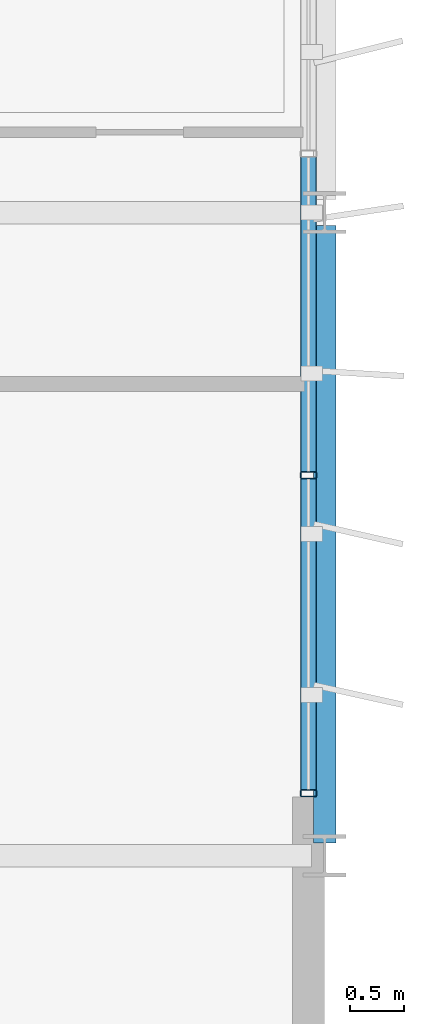
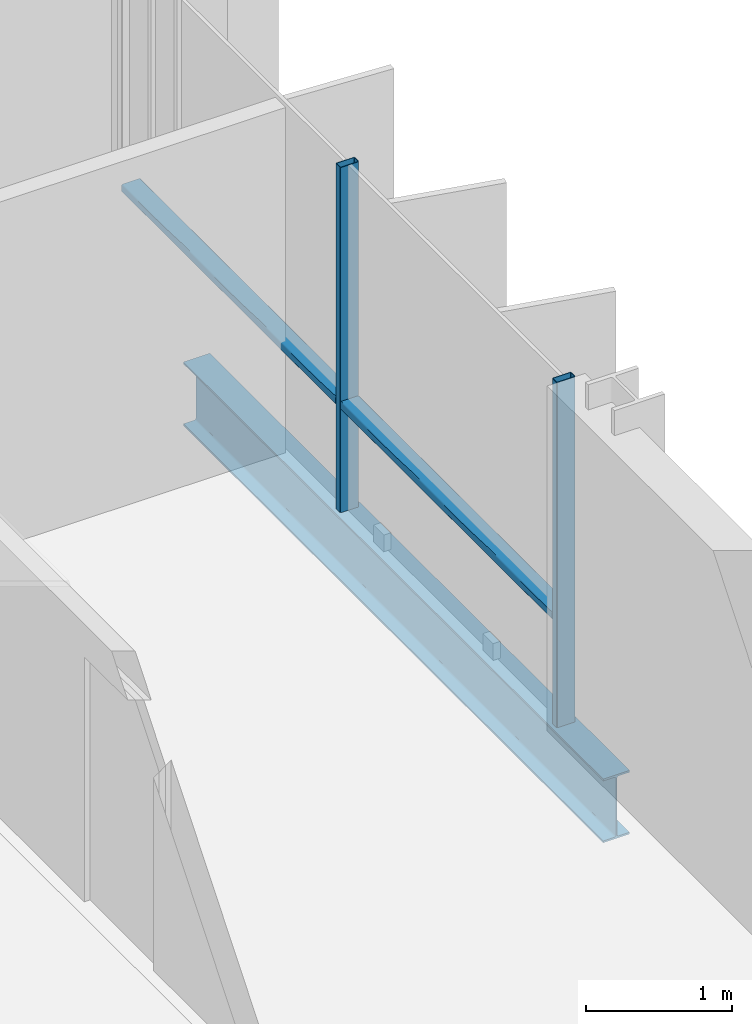
# One storey, part 17 of 38: 4 members, 1 beam, 1 element without a shape of its own.
"""IFC4 building model written with IfcOpenShell, lengths in metres."""

from ifc_helpers import new_model, si_unit, direction, frame, origin, origin_2d, place, context, subcontext, project, spatial, hollow_rectangle, i_section, extrude, material, layer, layer_set, material_profile, profile_set, type_object, element, aggregate, save


model = new_model("IFC4")

# Units and contexts
model_context = context("Model", 3, precision=1e-05, world=origin(), true_north=direction((0.0, 1.0)))
body_context = subcontext(model_context, "Body", "Model", "MODEL_VIEW")
ifc_project = project(units=[si_unit("LENGTHUNIT", "METRE"), si_unit("AREAUNIT", "SQUARE_METRE"), si_unit("VOLUMEUNIT", "CUBIC_METRE"), si_unit("PLANEANGLEUNIT", "RADIAN"), si_unit("MASSUNIT", "GRAM", prefix="KILO")], contexts=[model_context])

# Site, building, storey
site_placement = place(None, origin())
site = spatial("IfcSite", under=ifc_project, at=site_placement, CompositionType="ELEMENT")
building_placement = place(site_placement, origin())
building = spatial("IfcBuilding", under=site, at=building_placement, Name="Brevholm Reach", CompositionType="ELEMENT")
storey_placement = place(building_placement, frame((0.0, 0.0, 186.300048828125)))
storey = spatial("IfcBuildingStorey", under=building, at=storey_placement, Name="L56", CompositionType="ELEMENT", Elevation=186.300048828125)

# Beam
ifc_material_1 = material(Name="Structural Steel S355J2", Category="steel")
ifc_material_profile_1 = material_profile(ifc_material_1, i_section(OverallWidth=0.209228515625, OverallDepth=0.533203125, WebThickness=0.010009765625, FlangeThickness=0.015625, FilletRadius=0.0126953125, at=origin_2d()), Name="UKB 533x210x92")
ifc_profile_set_1 = profile_set([ifc_material_profile_1], Name="Structural Steel S355J2")
beam_type = type_object("IfcBeamType", Name="BM-SP533", PredefinedType="SPANDREL", material=ifc_profile_set_1)
beam_placement = place(storey_placement, frame((60.0, 10.1201171875, -0.4765625), z_axis=(0.0, 1.0, 0.0), x_axis=(-1.0, 0.0, 0.0)))
element("IfcBeam", 1, at=beam_placement, inside=storey, type_object=beam_type, Name="L56 SP-02 Framing Beam", PredefinedType="SPANDREL", context=body_context, shape_type="SweptSolid", body=[
    extrude(i_section(OverallWidth=0.209228515625, OverallDepth=0.533203125, WebThickness=0.010009765625, FlangeThickness=0.015625, FilletRadius=0.0126953125, at=origin_2d()), origin(), (0.0, 0.0, 1.0), 5.759765625),
])

# Curtain wall, members
ifc_material_2 = material(Name="Dark Anodised Aluminium 6063-T6 and Solar-Control Glass", Category="aluminium")
ifc_layer = layer(ifc_material_2, 0.14990234375)
ifc_layer_set = layer_set([ifc_layer], Name="Dark Anodised Aluminium 6063-T6 and Solar-Control Glass")
curtain_wall_type = type_object("IfcCurtainWallType", Name="CW-01", PredefinedType="NOTDEFINED", material=ifc_layer_set)
curtain_wall_placement = place(storey_placement, origin())
curtain_wall = element("IfcCurtainWall", 2, at=curtain_wall_placement, inside=storey, type_object=curtain_wall_type, Name="L56 Curtain Wall CW-01", PredefinedType="NOTDEFINED")
ifc_material_3 = material(Name="Dark Anodised Aluminium 6063-T6", Category="aluminium")
ifc_material_profile_2 = material_profile(ifc_material_3, hollow_rectangle(XDim=0.06494140625, YDim=0.14990234375, WallThickness=0.0048828125, InnerFilletRadius=0.0048828125, OuterFilletRadius=0.010009765625, at=origin_2d()), Name="RHS 150x65x5")
ifc_profile_set_2 = profile_set([ifc_material_profile_2], Name="Dark Anodised Aluminium 6063-T6")
member_type_1 = type_object("IfcMemberType", Name="CWM-150", PredefinedType="MULLION", material=ifc_profile_set_2)
member_1_placement = place(storey_placement, frame((59.85009765625, 10.58251953125, 0.0), z_axis=(0.0, 0.0, 1.0), x_axis=(0.0, 1.0, 0.0)))
member_1 = element("IfcMember", 3, at=member_1_placement, type_object=member_type_1, Name="CM-150 Mullion 1", PredefinedType="MULLION", context=body_context, shape_type="SweptSolid", body=[
    extrude(hollow_rectangle(XDim=0.06494140625, YDim=0.14990234375, WallThickness=0.0048828125, InnerFilletRadius=0.0048828125, OuterFilletRadius=0.010009765625, at=origin_2d()), origin(), (0.0, 0.0, 1.0), 2.889892578125),
])
member_2_placement = place(storey_placement, frame((59.85009765625, 13.550048828125, 0.0), z_axis=(0.0, 0.0, 1.0), x_axis=(0.0, 1.0, 0.0)))
member_2 = element("IfcMember", 4, at=member_2_placement, type_object=member_type_1, Name="CM-150 Mullion 2", PredefinedType="MULLION", context=body_context, shape_type="SweptSolid", body=[
    extrude(hollow_rectangle(XDim=0.06494140625, YDim=0.14990234375, WallThickness=0.0048828125, InnerFilletRadius=0.0048828125, OuterFilletRadius=0.010009765625, at=origin_2d()), origin(), (0.0, 0.0, 1.0), 2.889892578125),
])
ifc_material_4 = material(Name="Dark Anodised Aluminium 6063-T6", Category="aluminium")
ifc_material_profile_3 = material_profile(ifc_material_4, hollow_rectangle(XDim=0.06494140625, YDim=0.14990234375, WallThickness=0.0048828125, InnerFilletRadius=0.0048828125, OuterFilletRadius=0.010009765625, at=origin_2d()), Name="RHS 150x65x5")
ifc_profile_set_3 = profile_set([ifc_material_profile_3], Name="Dark Anodised Aluminium 6063-T6")
member_type_2 = type_object("IfcMemberType", Name="CWT-150", PredefinedType="NOTDEFINED", material=ifc_profile_set_3)
member_3_placement = place(storey_placement, frame((59.85009765625, 10.614990234375, 0.89990234375), z_axis=(0.0, 1.0, 0.0), x_axis=(0.0, 0.0, 1.0)))
member_3 = element("IfcMember", 5, at=member_3_placement, type_object=member_type_2, Name="CT-150 Transom 1.1", ObjectType="TRANSOM", PredefinedType="USERDEFINED", context=body_context, shape_type="SweptSolid", body=[
    extrude(hollow_rectangle(XDim=0.06494140625, YDim=0.14990234375, WallThickness=0.0048828125, InnerFilletRadius=0.0048828125, OuterFilletRadius=0.010009765625, at=origin_2d()), origin(), (0.0, 0.0, 1.0), 2.902587890625),
])
member_4_placement = place(storey_placement, frame((59.85009765625, 13.58251953125, 0.89990234375), z_axis=(0.0, 1.0, 0.0), x_axis=(0.0, 0.0, 1.0)))
member_4 = element("IfcMember", 6, at=member_4_placement, type_object=member_type_2, Name="CT-150 Transom 2.1", ObjectType="TRANSOM", PredefinedType="USERDEFINED", context=body_context, shape_type="SweptSolid", body=[
    extrude(hollow_rectangle(XDim=0.06494140625, YDim=0.14990234375, WallThickness=0.0048828125, InnerFilletRadius=0.0048828125, OuterFilletRadius=0.010009765625, at=origin_2d()), origin(), (0.0, 0.0, 1.0), 2.93505859375),
])
aggregate(curtain_wall, [member_1, member_2, member_3, member_4])

save(model, "model.ifc")
